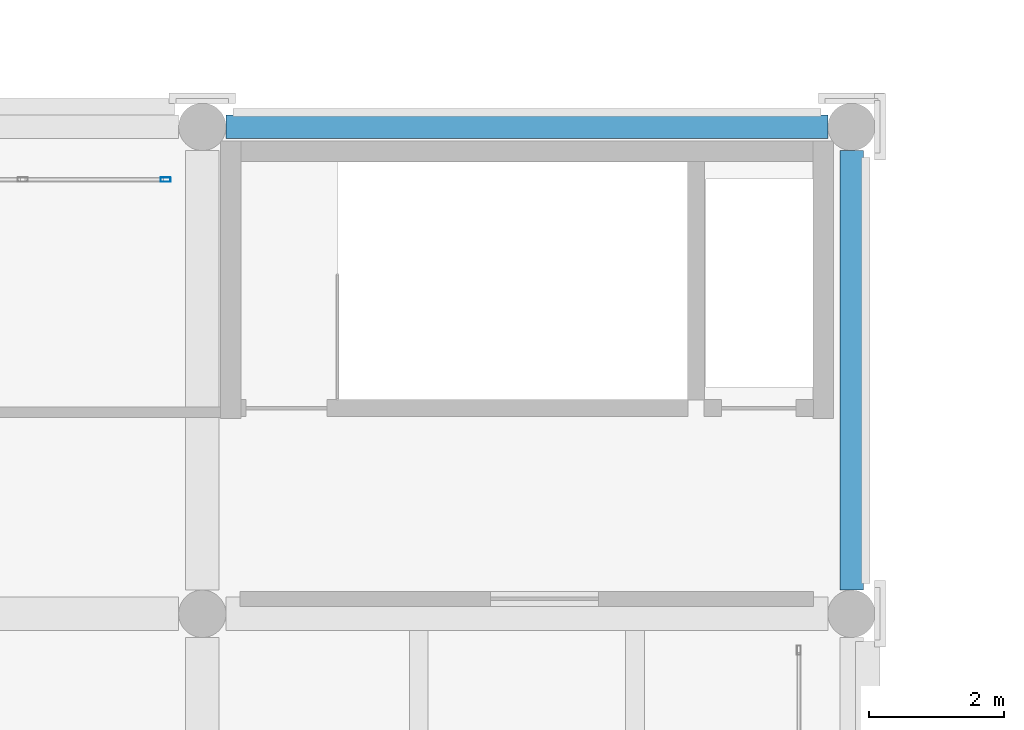
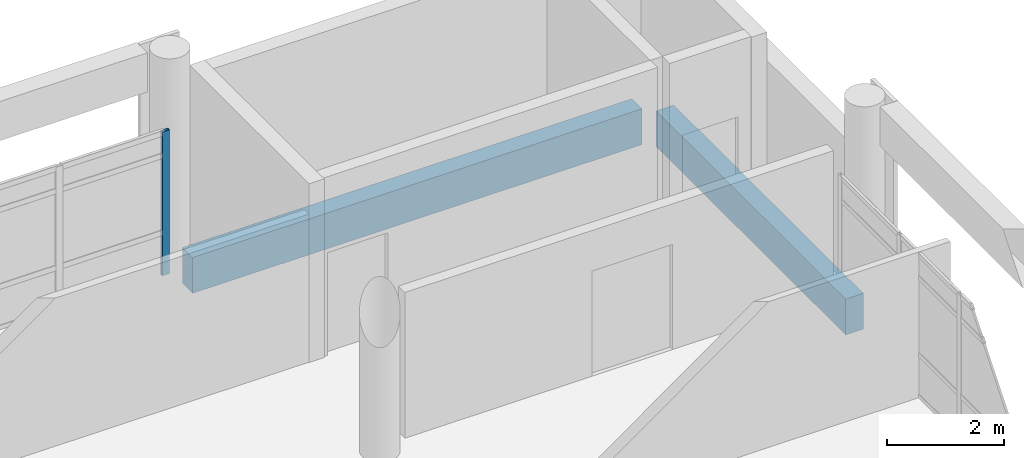
# One storey, part 32 of 180: 2 beams, 1 member, 1 element without a shape of its own.
"""IFC4 building model written with IfcOpenShell, lengths in metres."""

from ifc_helpers import new_model, si_unit, direction, frame, origin, origin_2d, place, context, subcontext, project, spatial, rectangle, hollow_rectangle, extrude, material, layer, layer_set, material_profile, profile_set, type_object, element, aggregate, save


model = new_model("IFC4")

# Units and contexts
model_context = context("Model", 3, precision=1e-05, world=origin(), true_north=direction((0.0, 1.0)))
body_context = subcontext(model_context, "Body", "Model", "MODEL_VIEW")
ifc_project = project(units=[si_unit("LENGTHUNIT", "METRE"), si_unit("AREAUNIT", "SQUARE_METRE"), si_unit("VOLUMEUNIT", "CUBIC_METRE"), si_unit("PLANEANGLEUNIT", "RADIAN"), si_unit("MASSUNIT", "GRAM", prefix="KILO")], contexts=[model_context])

# Site, building, storey
site_placement = place(None, origin())
site = spatial("IfcSite", under=ifc_project, at=site_placement, CompositionType="ELEMENT")
building_placement = place(site_placement, origin())
building = spatial("IfcBuilding", under=site, at=building_placement, Name="Asteropetra Specialist Clinic", CompositionType="ELEMENT")
storey_placement = place(building_placement, frame((0.0, 0.0, 4.419921875)))
storey = spatial("IfcBuildingStorey", under=building, at=storey_placement, Name="L01", CompositionType="ELEMENT", Elevation=4.419921875)

# Curtain wall, member
ifc_material_1 = material(Name="Aluminium and low-E glass", Category="aluminium")
ifc_layer = layer(ifc_material_1, 0.14990234375)
ifc_layer_set = layer_set([ifc_layer], Name="Aluminium and low-E glass")
curtain_wall_type = type_object("IfcCurtainWallType", Name="CW-SYS-11", PredefinedType="USERDEFINED", material=ifc_layer_set)
curtain_wall_placement = place(storey_placement, origin())
curtain_wall = element("IfcCurtainWall", 1, at=curtain_wall_placement, inside=storey, type_object=curtain_wall_type, Name="Curtain Wall CW-139", ObjectType="STICK GLAZED COLONNADE", PredefinedType="USERDEFINED")
ifc_material_2 = material(Name="Aluminium 6063-T6", Category="aluminium")
ifc_material_profile_1 = material_profile(ifc_material_2, hollow_rectangle(XDim=0.06494140625, YDim=0.14990234375, WallThickness=0.00390625, InnerFilletRadius=0.00390625, OuterFilletRadius=0.008056640625, at=origin_2d()), Name="MUL 150x65x4.0")
ifc_profile_set_1 = profile_set([ifc_material_profile_1], Name="Aluminium 6063-T6")
member_type = type_object("IfcMemberType", Name="CWM-150x65", PredefinedType="MULLION", material=ifc_profile_set_1)
member_placement = place(storey_placement, frame((47.45751953125, 25.6201171875, 0.0), z_axis=(0.0, 0.0, 1.0), x_axis=(0.0, -1.0, 0.0)))
member = element("IfcMember", 2, at=member_placement, type_object=member_type, Name="CW-139 mullion 1", PredefinedType="MULLION", context=body_context, shape_type="SweptSolid", body=[
    extrude(hollow_rectangle(XDim=0.06494140625, YDim=0.14990234375, WallThickness=0.00390625, InnerFilletRadius=0.00390625, OuterFilletRadius=0.008056640625, at=origin_2d()), origin(), (0.0, 0.0, 1.0), 3.010009765625),
])
aggregate(curtain_wall, [member])

# Beams
ifc_material_3 = material(Name="Concrete C35/45", Category="concrete")
ifc_material_profile_2 = material_profile(ifc_material_3, rectangle(XDim=0.35009765625, YDim=0.75, at=origin_2d()), Name="RCS 350x750")
ifc_profile_set_2 = profile_set([ifc_material_profile_2], Name="Concrete C35/45")
beam_type = type_object("IfcBeamType", Name="SPN-RC350x750", PredefinedType="SPANDREL", material=ifc_profile_set_2)
beam_1_placement = place(storey_placement, frame((48.35009765625, 26.39990234375, -0.71484375), z_axis=(1.0, 0.0, 0.0), x_axis=(0.0, 1.0, 0.0)))
element("IfcBeam", 3, at=beam_1_placement, inside=storey, type_object=beam_type, Name="Beam BSPN01-0251", PredefinedType="SPANDREL", context=body_context, shape_type="SweptSolid", body=[
    extrude(rectangle(XDim=0.35009765625, YDim=0.75, at=origin_2d()), origin(), (0.0, 0.0, 1.0), 8.89990234375),
])
beam_2_placement = place(storey_placement, frame((57.60009765625, 19.550048828125, -0.71484375), z_axis=(0.0, 1.0, 0.0), x_axis=(-1.0, 0.0, 0.0)))
element("IfcBeam", 4, at=beam_2_placement, inside=storey, type_object=beam_type, Name="Beam BSPN01-0304", PredefinedType="SPANDREL", context=body_context, shape_type="SweptSolid", body=[
    extrude(rectangle(XDim=0.35009765625, YDim=0.75, at=origin_2d()), origin(), (0.0, 0.0, 1.0), 6.5),
])

save(model, "model.ifc")
